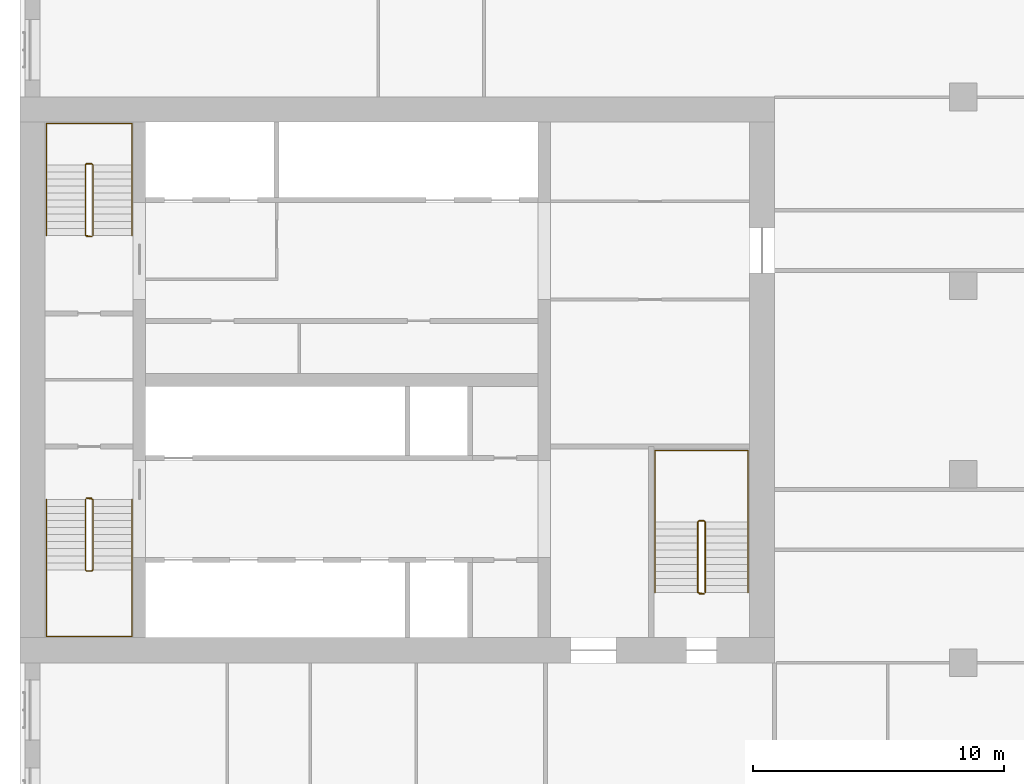
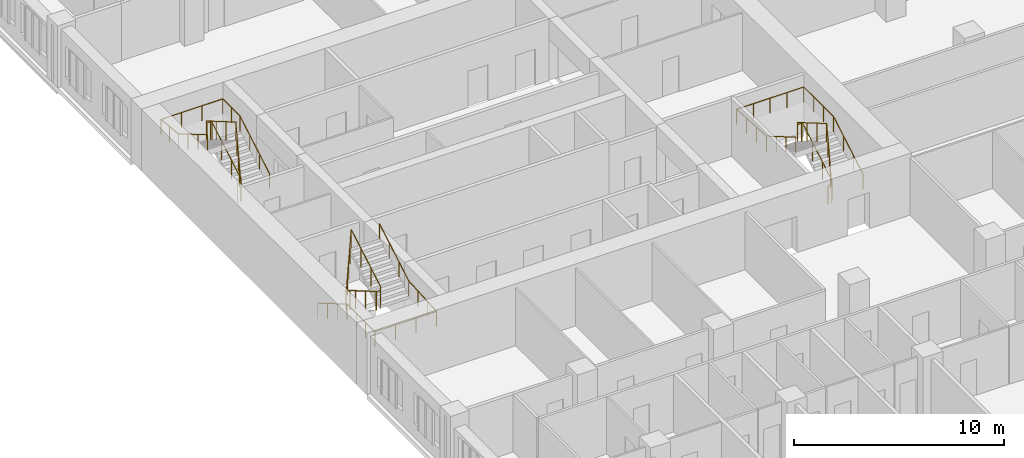
# One storey, part 15 of 15: 6 railings.
"""IFC4 building model written with IfcOpenShell, lengths in metres."""

from ifc_helpers import new_model, si_unit, direction, frame, origin, origin_2d, place, context, subcontext, project, spatial, circle, extrude, material, type_object, element, save


model = new_model("IFC4")

# Units and contexts
model_context = context("Model", 3, precision=1e-05, world=origin(), true_north=direction((0.0, 1.0)))
body_context = subcontext(model_context, "Body", "Model", "MODEL_VIEW")
ifc_project = project(units=[si_unit("LENGTHUNIT", "METRE"), si_unit("AREAUNIT", "SQUARE_METRE"), si_unit("VOLUMEUNIT", "CUBIC_METRE"), si_unit("PLANEANGLEUNIT", "RADIAN"), si_unit("MASSUNIT", "GRAM", prefix="KILO")], contexts=[model_context])

# Site, building, storey
site_placement = place(None, origin())
site = spatial("IfcSite", under=ifc_project, at=site_placement, CompositionType="ELEMENT")
building_placement = place(site_placement, origin())
building = spatial("IfcBuilding", under=site, at=building_placement, Name="Tamorin Gate", CompositionType="ELEMENT")
storey_placement = place(building_placement, frame((0.0, 0.0, 82.699951171875)))
storey = spatial("IfcBuildingStorey", under=building, at=storey_placement, Name="L19", CompositionType="ELEMENT", Elevation=82.699951171875)

# Railings
ifc_material_1 = material(Name="Painted steel balustrade", Category="steel")
railing_type_1 = type_object("IfcRailingType", Name="Stair guard 1100", PredefinedType="GUARDRAIL", material=ifc_material_1)
railing_1_placement = place(storey_placement, frame((32.60009765625, 66.5, 0.16357421875)))
element("IfcRailing", 1, at=railing_1_placement, inside=storey, type_object=railing_type_1, Name="L19 ST1 stair guard 1", PredefinedType="GUARDRAIL", context=body_context, shape_type="SweptSolid", body=[
    extrude(circle(Radius=0.02392578125, at=origin_2d()), frame((0.0, 0.0, 1.076171875), z_axis=(0.0, -0.863360870873, 0.504586966384), x_axis=(1.0, 0.0, 0.0)), (0.0, 0.0, 1.0), 3.2431640625),
    extrude(circle(Radius=0.02392578125, at=origin_2d()), frame((0.0, -2.800048828125, 2.71240234375), z_axis=(0.705375805398, -0.708833529934, 0.0), x_axis=(0.708833529934, 0.705375805398, 0.0)), (0.0, 0.0, 1.0), 0.070556640625),
    extrude(circle(Radius=0.02392578125, at=origin_2d()), frame((0.0498046875, -2.85009765625, 2.71240234375), z_axis=(1.0, 0.0, 0.0), x_axis=(0.0, 1.0, 0.0)), (0.0, 0.0, 1.0), 0.2001953125),
    extrude(circle(Radius=0.02392578125, at=origin_2d()), frame((0.25, -2.85009765625, 2.71240234375), z_axis=(0.279546231943, 0.280916556609, 0.91811752648), x_axis=(-0.708833529934, 0.705375805398, 0.0)), (0.0, 0.0, 1.0), 0.17822265625),
    extrude(circle(Radius=0.02392578125, at=origin_2d()), frame((0.2998046875, -2.800048828125, 2.8759765625), z_axis=(0.0, 0.863360870873, 0.504586966384), x_axis=(-1.0, 0.0, 0.0)), (0.0, 0.0, 1.0), 3.2431640625),
    extrude(circle(Radius=0.02392578125, at=origin_2d()), frame((0.2998046875, 0.0, 4.5126953125), z_axis=(-0.069269067181, 0.013867342551, -0.997501625634), x_axis=(-0.196300278283, -0.98054382908, 0.0)), (0.0, 0.0, 1.0), 3.609130859375),
    extrude(circle(Radius=0.02392578125, at=origin_2d()), frame((0.0498046875, 0.050048828125, 0.91259765625), z_axis=(1.0, 0.0, 0.0), x_axis=(0.0, 1.0, 0.0)), (0.0, 0.0, 1.0), 0.2001953125),
    extrude(circle(Radius=0.02099609375, at=origin_2d()), origin(), (0.0, 0.0, 1.0), 1.052001953125),
    extrude(circle(Radius=0.02099609375, at=origin_2d()), frame((0.0, -0.933349609375, 0.54541015625)), (0.0, 0.0, 1.0), 1.052001953125),
    extrude(circle(Radius=0.02099609375, at=origin_2d()), frame((0.0, -1.86669921875, 1.091064453125)), (0.0, 0.0, 1.0), 1.052001953125),
    extrude(circle(Radius=0.02099609375, at=origin_2d()), frame((0.0, -2.800048828125, 1.636474609375)), (0.0, 0.0, 1.0), 1.052001953125),
    extrude(circle(Radius=0.02099609375, at=origin_2d()), frame((0.0498046875, -2.85009765625, 1.636474609375)), (0.0, 0.0, 1.0), 1.052001953125),
    extrude(circle(Radius=0.02099609375, at=origin_2d()), frame((0.25, -2.85009765625, 1.636474609375)), (0.0, 0.0, 1.0), 1.052001953125),
    extrude(circle(Radius=0.02099609375, at=origin_2d()), frame((0.2998046875, -2.800048828125, 1.800048828125)), (0.0, 0.0, 1.0), 1.052001953125),
    extrude(circle(Radius=0.02099609375, at=origin_2d()), frame((0.2998046875, -1.86669921875, 2.345458984375)), (0.0, 0.0, 1.0), 1.052001953125),
    extrude(circle(Radius=0.02099609375, at=origin_2d()), frame((0.2998046875, -0.933349609375, 2.89111328125)), (0.0, 0.0, 1.0), 1.052001953125),
    extrude(circle(Radius=0.02099609375, at=origin_2d()), frame((0.2998046875, 0.0, 3.4365234375)), (0.0, 0.0, 1.0), 1.052001953125),
    extrude(circle(Radius=0.02099609375, at=origin_2d()), frame((0.2373046875, 0.012451171875, 2.53662109375)), (0.0, 0.0, 1.0), 1.052001953125),
    extrude(circle(Radius=0.02099609375, at=origin_2d()), frame((0.1748046875, 0.02490234375, 1.636474609375)), (0.0, 0.0, 1.0), 1.052001953125),
    extrude(circle(Radius=0.02099609375, at=origin_2d()), frame((0.1123046875, 0.03759765625, 0.736328125)), (0.0, 0.0, 1.0), 1.052001953125),
    extrude(circle(Radius=0.02099609375, at=origin_2d()), frame((0.0498046875, 0.050048828125, -0.16357421875)), (0.0, 0.0, 1.0), 1.052001953125),
    extrude(circle(Radius=0.02099609375, at=origin_2d()), frame((0.25, 0.050048828125, -0.16357421875)), (0.0, 0.0, 1.0), 1.052001953125),
])
railing_2_placement = place(storey_placement, frame((32.89990234375, 77.0, 0.16357421875)))
element("IfcRailing", 2, at=railing_2_placement, inside=storey, type_object=railing_type_1, Name="L19 ST2 stair guard 1", PredefinedType="GUARDRAIL", context=body_context, shape_type="SweptSolid", body=[
    extrude(circle(Radius=0.02392578125, at=origin_2d()), frame((0.0, 0.0, 1.076171875), z_axis=(0.0, 0.863360870873, 0.504586966384), x_axis=(-1.0, 0.0, 0.0)), (0.0, 0.0, 1.0), 3.2431640625),
    extrude(circle(Radius=0.02392578125, at=origin_2d()), frame((0.0, 2.800048828125, 2.71240234375), z_axis=(-0.705375805398, 0.708833529934, 0.0), x_axis=(-0.708833529934, -0.705375805398, 0.0)), (0.0, 0.0, 1.0), 0.070556640625),
    extrude(circle(Radius=0.02392578125, at=origin_2d()), frame((-0.0498046875, 2.85009765625, 2.71240234375), z_axis=(-1.0, 0.0, 0.0), x_axis=(0.0, -1.0, 0.0)), (0.0, 0.0, 1.0), 0.2001953125),
    extrude(circle(Radius=0.02392578125, at=origin_2d()), frame((-0.25, 2.85009765625, 2.71240234375), z_axis=(-0.279546231943, -0.280916556609, 0.91811752648), x_axis=(0.708833529934, -0.705375805398, 0.0)), (0.0, 0.0, 1.0), 0.17822265625),
    extrude(circle(Radius=0.02392578125, at=origin_2d()), frame((-0.2998046875, 2.800048828125, 2.8759765625), z_axis=(0.0, -0.863360870873, 0.504586966384), x_axis=(1.0, 0.0, 0.0)), (0.0, 0.0, 1.0), 3.2431640625),
    extrude(circle(Radius=0.02392578125, at=origin_2d()), frame((-0.2998046875, 0.0, 4.5126953125), z_axis=(0.069269067181, -0.013867342551, -0.997501625634), x_axis=(0.196300278283, 0.98054382908, 0.0)), (0.0, 0.0, 1.0), 3.609130859375),
    extrude(circle(Radius=0.02392578125, at=origin_2d()), frame((-0.0498046875, -0.050048828125, 0.91259765625), z_axis=(-1.0, 0.0, 0.0), x_axis=(0.0, -1.0, 0.0)), (0.0, 0.0, 1.0), 0.2001953125),
    extrude(circle(Radius=0.02099609375, at=origin_2d()), origin(), (0.0, 0.0, 1.0), 1.052001953125),
    extrude(circle(Radius=0.02099609375, at=origin_2d()), frame((0.0, 0.933349609375, 0.54541015625)), (0.0, 0.0, 1.0), 1.052001953125),
    extrude(circle(Radius=0.02099609375, at=origin_2d()), frame((0.0, 1.86669921875, 1.091064453125)), (0.0, 0.0, 1.0), 1.052001953125),
    extrude(circle(Radius=0.02099609375, at=origin_2d()), frame((0.0, 2.800048828125, 1.636474609375)), (0.0, 0.0, 1.0), 1.052001953125),
    extrude(circle(Radius=0.02099609375, at=origin_2d()), frame((-0.0498046875, 2.85009765625, 1.636474609375)), (0.0, 0.0, 1.0), 1.052001953125),
    extrude(circle(Radius=0.02099609375, at=origin_2d()), frame((-0.25, 2.85009765625, 1.636474609375)), (0.0, 0.0, 1.0), 1.052001953125),
    extrude(circle(Radius=0.02099609375, at=origin_2d()), frame((-0.2998046875, 2.800048828125, 1.800048828125)), (0.0, 0.0, 1.0), 1.052001953125),
    extrude(circle(Radius=0.02099609375, at=origin_2d()), frame((-0.2998046875, 1.86669921875, 2.345458984375)), (0.0, 0.0, 1.0), 1.052001953125),
    extrude(circle(Radius=0.02099609375, at=origin_2d()), frame((-0.2998046875, 0.933349609375, 2.89111328125)), (0.0, 0.0, 1.0), 1.052001953125),
    extrude(circle(Radius=0.02099609375, at=origin_2d()), frame((-0.2998046875, 0.0, 3.4365234375)), (0.0, 0.0, 1.0), 1.052001953125),
    extrude(circle(Radius=0.02099609375, at=origin_2d()), frame((-0.2373046875, -0.012451171875, 2.53662109375)), (0.0, 0.0, 1.0), 1.052001953125),
    extrude(circle(Radius=0.02099609375, at=origin_2d()), frame((-0.1748046875, -0.02490234375, 1.636474609375)), (0.0, 0.0, 1.0), 1.052001953125),
    extrude(circle(Radius=0.02099609375, at=origin_2d()), frame((-0.1123046875, -0.03759765625, 0.736328125)), (0.0, 0.0, 1.0), 1.052001953125),
    extrude(circle(Radius=0.02099609375, at=origin_2d()), frame((-0.0498046875, -0.050048828125, -0.16357421875)), (0.0, 0.0, 1.0), 1.052001953125),
    extrude(circle(Radius=0.02099609375, at=origin_2d()), frame((-0.25, -0.050048828125, -0.16357421875)), (0.0, 0.0, 1.0), 1.052001953125),
])
railing_3_placement = place(storey_placement, frame((57.25, 62.800048828125, 0.16357421875)))
element("IfcRailing", 3, at=railing_3_placement, inside=storey, type_object=railing_type_1, Name="L19 ST3 stair guard 1", PredefinedType="GUARDRAIL", context=body_context, shape_type="SweptSolid", body=[
    extrude(circle(Radius=0.02392578125, at=origin_2d()), frame((0.0, 0.0, 1.076171875), z_axis=(0.0, 0.863360870873, 0.504586966384), x_axis=(-1.0, 0.0, 0.0)), (0.0, 0.0, 1.0), 3.2431640625),
    extrude(circle(Radius=0.02392578125, at=origin_2d()), frame((0.0, 2.800048828125, 2.71240234375), z_axis=(-0.708833529934, 0.705375805398, 0.0), x_axis=(-0.705375805398, -0.708833529934, 0.0)), (0.0, 0.0, 1.0), 0.070556640625),
    extrude(circle(Radius=0.02392578125, at=origin_2d()), frame((-0.050048828125, 2.849853515625, 2.71240234375), z_axis=(-1.0, 0.0, 0.0), x_axis=(0.0, -1.0, 0.0)), (0.0, 0.0, 1.0), 0.199951171875),
    extrude(circle(Radius=0.02392578125, at=origin_2d()), frame((-0.25, 2.849853515625, 2.71240234375), z_axis=(-0.280916556609, -0.279546231943, 0.91811752648), x_axis=(0.705375805398, -0.708833529934, 0.0)), (0.0, 0.0, 1.0), 0.17822265625),
    extrude(circle(Radius=0.02392578125, at=origin_2d()), frame((-0.300048828125, 2.800048828125, 2.8759765625), z_axis=(0.0, -0.863360870873, 0.504586966384), x_axis=(1.0, 0.0, 0.0)), (0.0, 0.0, 1.0), 3.2431640625),
    extrude(circle(Radius=0.02392578125, at=origin_2d()), frame((-0.300048828125, 0.0, 4.5126953125), z_axis=(0.069269067181, -0.013867342551, -0.997501625634), x_axis=(0.196300278283, 0.98054382908, 0.0)), (0.0, 0.0, 1.0), 3.609130859375),
    extrude(circle(Radius=0.02392578125, at=origin_2d()), frame((-0.050048828125, -0.050048828125, 0.91259765625), z_axis=(-1.0, 0.0, 0.0), x_axis=(0.0, -1.0, 0.0)), (0.0, 0.0, 1.0), 0.199951171875),
    extrude(circle(Radius=0.02099609375, at=origin_2d()), origin(), (0.0, 0.0, 1.0), 1.052001953125),
    extrude(circle(Radius=0.02099609375, at=origin_2d()), frame((0.0, 0.933349609375, 0.54541015625)), (0.0, 0.0, 1.0), 1.052001953125),
    extrude(circle(Radius=0.02099609375, at=origin_2d()), frame((0.0, 1.86669921875, 1.091064453125)), (0.0, 0.0, 1.0), 1.052001953125),
    extrude(circle(Radius=0.02099609375, at=origin_2d()), frame((0.0, 2.800048828125, 1.636474609375)), (0.0, 0.0, 1.0), 1.052001953125),
    extrude(circle(Radius=0.02099609375, at=origin_2d()), frame((-0.050048828125, 2.849853515625, 1.636474609375)), (0.0, 0.0, 1.0), 1.052001953125),
    extrude(circle(Radius=0.02099609375, at=origin_2d()), frame((-0.25, 2.849853515625, 1.636474609375)), (0.0, 0.0, 1.0), 1.052001953125),
    extrude(circle(Radius=0.02099609375, at=origin_2d()), frame((-0.300048828125, 2.800048828125, 1.800048828125)), (0.0, 0.0, 1.0), 1.052001953125),
    extrude(circle(Radius=0.02099609375, at=origin_2d()), frame((-0.300048828125, 1.86669921875, 2.345458984375)), (0.0, 0.0, 1.0), 1.052001953125),
    extrude(circle(Radius=0.02099609375, at=origin_2d()), frame((-0.300048828125, 0.933349609375, 2.89111328125)), (0.0, 0.0, 1.0), 1.052001953125),
    extrude(circle(Radius=0.02099609375, at=origin_2d()), frame((-0.300048828125, 0.0, 3.4365234375)), (0.0, 0.0, 1.0), 1.052001953125),
    extrude(circle(Radius=0.02099609375, at=origin_2d()), frame((-0.237548828125, -0.012451171875, 2.53662109375)), (0.0, 0.0, 1.0), 1.052001953125),
    extrude(circle(Radius=0.02099609375, at=origin_2d()), frame((-0.175048828125, -0.02490234375, 1.636474609375)), (0.0, 0.0, 1.0), 1.052001953125),
    extrude(circle(Radius=0.02099609375, at=origin_2d()), frame((-0.112548828125, -0.03759765625, 0.736328125)), (0.0, 0.0, 1.0), 1.052001953125),
    extrude(circle(Radius=0.02099609375, at=origin_2d()), frame((-0.050048828125, -0.050048828125, -0.16357421875)), (0.0, 0.0, 1.0), 1.052001953125),
    extrude(circle(Radius=0.02099609375, at=origin_2d()), frame((-0.25, -0.050048828125, -0.16357421875)), (0.0, 0.0, 1.0), 1.052001953125),
])
ifc_material_2 = material(Name="Painted steel handrail", Category="steel")
railing_type_2 = type_object("IfcRailingType", Name="Stair handrail 900", PredefinedType="HANDRAIL", material=ifc_material_2)
railing_4_placement = place(storey_placement, frame((31.050048828125, 66.5, 0.16357421875)))
element("IfcRailing", 4, at=railing_4_placement, inside=storey, type_object=railing_type_2, Name="L19 ST1 stair handrail 1", PredefinedType="HANDRAIL", context=body_context, shape_type="SweptSolid", body=[
    extrude(circle(Radius=0.02392578125, at=origin_2d()), frame((0.0, 0.0, 0.8759765625), z_axis=(0.0, -0.863360870873, 0.504586966384), x_axis=(1.0, 0.0, 0.0)), (0.0, 0.0, 1.0), 3.2431640625),
    extrude(circle(Radius=0.02392578125, at=origin_2d()), frame((0.0, -2.800048828125, 2.51220703125), z_axis=(0.0, -1.0, 0.0), x_axis=(1.0, 0.0, 0.0)), (0.0, 0.0, 1.0), 2.64990234375),
    extrude(circle(Radius=0.02392578125, at=origin_2d()), frame((0.0, -5.449951171875, 2.51220703125), z_axis=(1.0, 0.0, 0.0), x_axis=(0.0, 1.0, 0.0)), (0.0, 0.0, 1.0), 3.39990234375),
    extrude(circle(Radius=0.02392578125, at=origin_2d()), frame((3.39990234375, -5.449951171875, 2.51220703125), z_axis=(0.0, 0.998100230056, 0.061611125312), x_axis=(-1.0, 0.0, 0.0)), (0.0, 0.0, 1.0), 2.655029296875),
    extrude(circle(Radius=0.02392578125, at=origin_2d()), frame((3.39990234375, -2.800048828125, 2.67578125), z_axis=(0.0, 0.863360870873, 0.504586966384), x_axis=(-1.0, 0.0, 0.0)), (0.0, 0.0, 1.0), 3.2431640625),
    extrude(circle(Radius=0.02099609375, at=origin_2d()), origin(), (0.0, 0.0, 1.0), 0.851806640625),
    extrude(circle(Radius=0.02099609375, at=origin_2d()), frame((0.0, -0.933349609375, 0.54541015625)), (0.0, 0.0, 1.0), 0.851806640625),
    extrude(circle(Radius=0.02099609375, at=origin_2d()), frame((0.0, -1.86669921875, 1.091064453125)), (0.0, 0.0, 1.0), 0.851806640625),
    extrude(circle(Radius=0.02099609375, at=origin_2d()), frame((0.0, -2.800048828125, 1.636474609375)), (0.0, 0.0, 1.0), 0.851806640625),
    extrude(circle(Radius=0.02099609375, at=origin_2d()), frame((0.0, -3.683349609375, 1.636474609375)), (0.0, 0.0, 1.0), 0.851806640625),
    extrude(circle(Radius=0.02099609375, at=origin_2d()), frame((0.0, -4.566650390625, 1.636474609375)), (0.0, 0.0, 1.0), 0.851806640625),
    extrude(circle(Radius=0.02099609375, at=origin_2d()), frame((0.0, -5.449951171875, 1.636474609375)), (0.0, 0.0, 1.0), 0.851806640625),
    extrude(circle(Radius=0.02099609375, at=origin_2d()), frame((1.13330078125, -5.449951171875, 1.636474609375)), (0.0, 0.0, 1.0), 0.851806640625),
    extrude(circle(Radius=0.02099609375, at=origin_2d()), frame((2.2666015625, -5.449951171875, 1.636474609375)), (0.0, 0.0, 1.0), 0.851806640625),
    extrude(circle(Radius=0.02099609375, at=origin_2d()), frame((3.39990234375, -5.449951171875, 1.636474609375)), (0.0, 0.0, 1.0), 0.851806640625),
    extrude(circle(Radius=0.02099609375, at=origin_2d()), frame((3.39990234375, -4.566650390625, 1.69091796875)), (0.0, 0.0, 1.0), 0.851806640625),
    extrude(circle(Radius=0.02099609375, at=origin_2d()), frame((3.39990234375, -3.683349609375, 1.74560546875)), (0.0, 0.0, 1.0), 0.851806640625),
    extrude(circle(Radius=0.02099609375, at=origin_2d()), frame((3.39990234375, -2.800048828125, 1.800048828125)), (0.0, 0.0, 1.0), 0.851806640625),
    extrude(circle(Radius=0.02099609375, at=origin_2d()), frame((3.39990234375, -1.86669921875, 2.345458984375)), (0.0, 0.0, 1.0), 0.851806640625),
    extrude(circle(Radius=0.02099609375, at=origin_2d()), frame((3.39990234375, -0.933349609375, 2.89111328125)), (0.0, 0.0, 1.0), 0.851806640625),
    extrude(circle(Radius=0.02099609375, at=origin_2d()), frame((3.39990234375, 0.0, 3.4365234375)), (0.0, 0.0, 1.0), 0.851806640625),
])
railing_5_placement = place(storey_placement, frame((34.449951171875, 77.0, 0.16357421875)))
element("IfcRailing", 5, at=railing_5_placement, inside=storey, type_object=railing_type_2, Name="L19 ST2 stair handrail 1", PredefinedType="HANDRAIL", context=body_context, shape_type="SweptSolid", body=[
    extrude(circle(Radius=0.02392578125, at=origin_2d()), frame((0.0, 0.0, 0.8759765625), z_axis=(0.0, 0.863360870873, 0.504586966384), x_axis=(-1.0, 0.0, 0.0)), (0.0, 0.0, 1.0), 3.2431640625),
    extrude(circle(Radius=0.02392578125, at=origin_2d()), frame((0.0, 2.800048828125, 2.51220703125), z_axis=(0.0, 1.0, 0.0), x_axis=(-1.0, 0.0, 0.0)), (0.0, 0.0, 1.0), 1.64990234375),
    extrude(circle(Radius=0.02392578125, at=origin_2d()), frame((0.0, 4.449951171875, 2.51220703125), z_axis=(-1.0, 0.0, 0.0), x_axis=(0.0, -1.0, 0.0)), (0.0, 0.0, 1.0), 3.39990234375),
    extrude(circle(Radius=0.02392578125, at=origin_2d()), frame((-3.39990234375, 4.449951171875, 2.51220703125), z_axis=(0.0, -0.995121390814, 0.098658084026), x_axis=(1.0, 0.0, 0.0)), (0.0, 0.0, 1.0), 1.657958984375),
    extrude(circle(Radius=0.02392578125, at=origin_2d()), frame((-3.39990234375, 2.800048828125, 2.67578125), z_axis=(0.0, -0.863360870873, 0.504586966384), x_axis=(1.0, 0.0, 0.0)), (0.0, 0.0, 1.0), 3.2431640625),
    extrude(circle(Radius=0.02099609375, at=origin_2d()), origin(), (0.0, 0.0, 1.0), 0.851806640625),
    extrude(circle(Radius=0.02099609375, at=origin_2d()), frame((0.0, 0.933349609375, 0.54541015625)), (0.0, 0.0, 1.0), 0.851806640625),
    extrude(circle(Radius=0.02099609375, at=origin_2d()), frame((0.0, 1.86669921875, 1.091064453125)), (0.0, 0.0, 1.0), 0.851806640625),
    extrude(circle(Radius=0.02099609375, at=origin_2d()), frame((0.0, 2.800048828125, 1.636474609375)), (0.0, 0.0, 1.0), 0.851806640625),
    extrude(circle(Radius=0.02099609375, at=origin_2d()), frame((0.0, 3.625, 1.636474609375)), (0.0, 0.0, 1.0), 0.851806640625),
    extrude(circle(Radius=0.02099609375, at=origin_2d()), frame((0.0, 4.449951171875, 1.636474609375)), (0.0, 0.0, 1.0), 0.851806640625),
    extrude(circle(Radius=0.02099609375, at=origin_2d()), frame((-1.13330078125, 4.449951171875, 1.636474609375)), (0.0, 0.0, 1.0), 0.851806640625),
    extrude(circle(Radius=0.02099609375, at=origin_2d()), frame((-2.2666015625, 4.449951171875, 1.636474609375)), (0.0, 0.0, 1.0), 0.851806640625),
    extrude(circle(Radius=0.02099609375, at=origin_2d()), frame((-3.39990234375, 4.449951171875, 1.636474609375)), (0.0, 0.0, 1.0), 0.851806640625),
    extrude(circle(Radius=0.02099609375, at=origin_2d()), frame((-3.39990234375, 3.625, 1.71826171875)), (0.0, 0.0, 1.0), 0.851806640625),
    extrude(circle(Radius=0.02099609375, at=origin_2d()), frame((-3.39990234375, 2.800048828125, 1.800048828125)), (0.0, 0.0, 1.0), 0.851806640625),
    extrude(circle(Radius=0.02099609375, at=origin_2d()), frame((-3.39990234375, 1.86669921875, 2.345458984375)), (0.0, 0.0, 1.0), 0.851806640625),
    extrude(circle(Radius=0.02099609375, at=origin_2d()), frame((-3.39990234375, 0.933349609375, 2.89111328125)), (0.0, 0.0, 1.0), 0.851806640625),
    extrude(circle(Radius=0.02099609375, at=origin_2d()), frame((-3.39990234375, 0.0, 3.4365234375)), (0.0, 0.0, 1.0), 0.851806640625),
])
railing_6_placement = place(storey_placement, frame((58.949951171875, 62.800048828125, 0.16357421875)))
element("IfcRailing", 6, at=railing_6_placement, inside=storey, type_object=railing_type_2, Name="L19 ST3 stair handrail 1", PredefinedType="HANDRAIL", context=body_context, shape_type="SweptSolid", body=[
    extrude(circle(Radius=0.02392578125, at=origin_2d()), frame((0.0, 0.0, 0.8759765625), z_axis=(0.0, 0.863360870873, 0.504586966384), x_axis=(-1.0, 0.0, 0.0)), (0.0, 0.0, 1.0), 3.2431640625),
    extrude(circle(Radius=0.02392578125, at=origin_2d()), frame((0.0, 2.800048828125, 2.51220703125), z_axis=(0.0, 1.0, 0.0), x_axis=(-1.0, 0.0, 0.0)), (0.0, 0.0, 1.0), 2.849853515625),
    extrude(circle(Radius=0.02392578125, at=origin_2d()), frame((0.0, 5.64990234375, 2.51220703125), z_axis=(-1.0, 0.0, 0.0), x_axis=(0.0, -1.0, 0.0)), (0.0, 0.0, 1.0), 3.699951171875),
    extrude(circle(Radius=0.02392578125, at=origin_2d()), frame((-3.699951171875, 5.64990234375, 2.51220703125), z_axis=(0.0, -0.998356827416, 0.057303098978), x_axis=(1.0, 0.0, 0.0)), (0.0, 0.0, 1.0), 2.8544921875),
    extrude(circle(Radius=0.02392578125, at=origin_2d()), frame((-3.699951171875, 2.800048828125, 2.67578125), z_axis=(0.0, -0.863360870873, 0.504586966384), x_axis=(1.0, 0.0, 0.0)), (0.0, 0.0, 1.0), 3.2431640625),
    extrude(circle(Radius=0.02099609375, at=origin_2d()), origin(), (0.0, 0.0, 1.0), 0.851806640625),
    extrude(circle(Radius=0.02099609375, at=origin_2d()), frame((0.0, 0.933349609375, 0.54541015625)), (0.0, 0.0, 1.0), 0.851806640625),
    extrude(circle(Radius=0.02099609375, at=origin_2d()), frame((0.0, 1.86669921875, 1.091064453125)), (0.0, 0.0, 1.0), 0.851806640625),
    extrude(circle(Radius=0.02099609375, at=origin_2d()), frame((0.0, 2.800048828125, 1.636474609375)), (0.0, 0.0, 1.0), 0.851806640625),
    extrude(circle(Radius=0.02099609375, at=origin_2d()), frame((0.0, 3.75, 1.636474609375)), (0.0, 0.0, 1.0), 0.851806640625),
    extrude(circle(Radius=0.02099609375, at=origin_2d()), frame((0.0, 4.699951171875, 1.636474609375)), (0.0, 0.0, 1.0), 0.851806640625),
    extrude(circle(Radius=0.02099609375, at=origin_2d()), frame((0.0, 5.64990234375, 1.636474609375)), (0.0, 0.0, 1.0), 0.851806640625),
    extrude(circle(Radius=0.02099609375, at=origin_2d()), frame((-0.925048828125, 5.64990234375, 1.636474609375)), (0.0, 0.0, 1.0), 0.851806640625),
    extrude(circle(Radius=0.02099609375, at=origin_2d()), frame((-1.85009765625, 5.64990234375, 1.636474609375)), (0.0, 0.0, 1.0), 0.851806640625),
    extrude(circle(Radius=0.02099609375, at=origin_2d()), frame((-2.77490234375, 5.64990234375, 1.636474609375)), (0.0, 0.0, 1.0), 0.851806640625),
    extrude(circle(Radius=0.02099609375, at=origin_2d()), frame((-3.699951171875, 5.64990234375, 1.636474609375)), (0.0, 0.0, 1.0), 0.851806640625),
    extrude(circle(Radius=0.02099609375, at=origin_2d()), frame((-3.699951171875, 4.699951171875, 1.69091796875)), (0.0, 0.0, 1.0), 0.851806640625),
    extrude(circle(Radius=0.02099609375, at=origin_2d()), frame((-3.699951171875, 3.75, 1.74560546875)), (0.0, 0.0, 1.0), 0.851806640625),
    extrude(circle(Radius=0.02099609375, at=origin_2d()), frame((-3.699951171875, 2.800048828125, 1.800048828125)), (0.0, 0.0, 1.0), 0.851806640625),
    extrude(circle(Radius=0.02099609375, at=origin_2d()), frame((-3.699951171875, 1.86669921875, 2.345458984375)), (0.0, 0.0, 1.0), 0.851806640625),
    extrude(circle(Radius=0.02099609375, at=origin_2d()), frame((-3.699951171875, 0.933349609375, 2.89111328125)), (0.0, 0.0, 1.0), 0.851806640625),
    extrude(circle(Radius=0.02099609375, at=origin_2d()), frame((-3.699951171875, 0.0, 3.4365234375)), (0.0, 0.0, 1.0), 0.851806640625),
])

save(model, "model.ifc")
